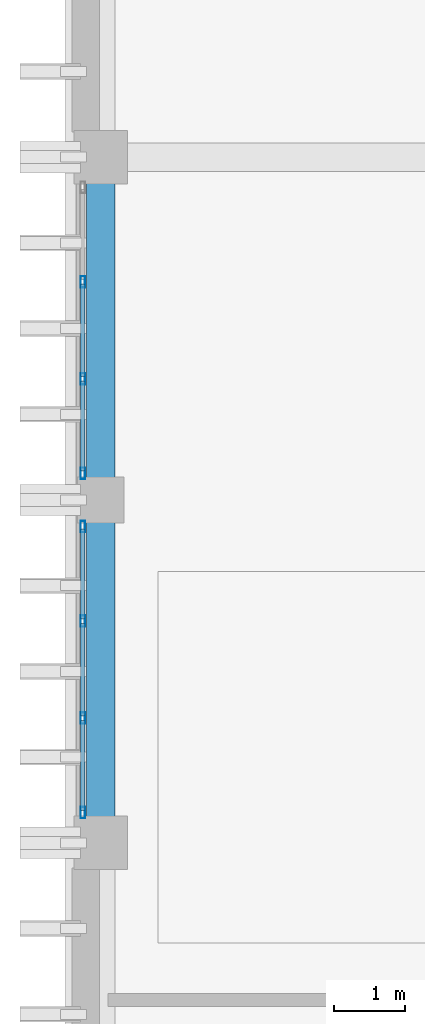
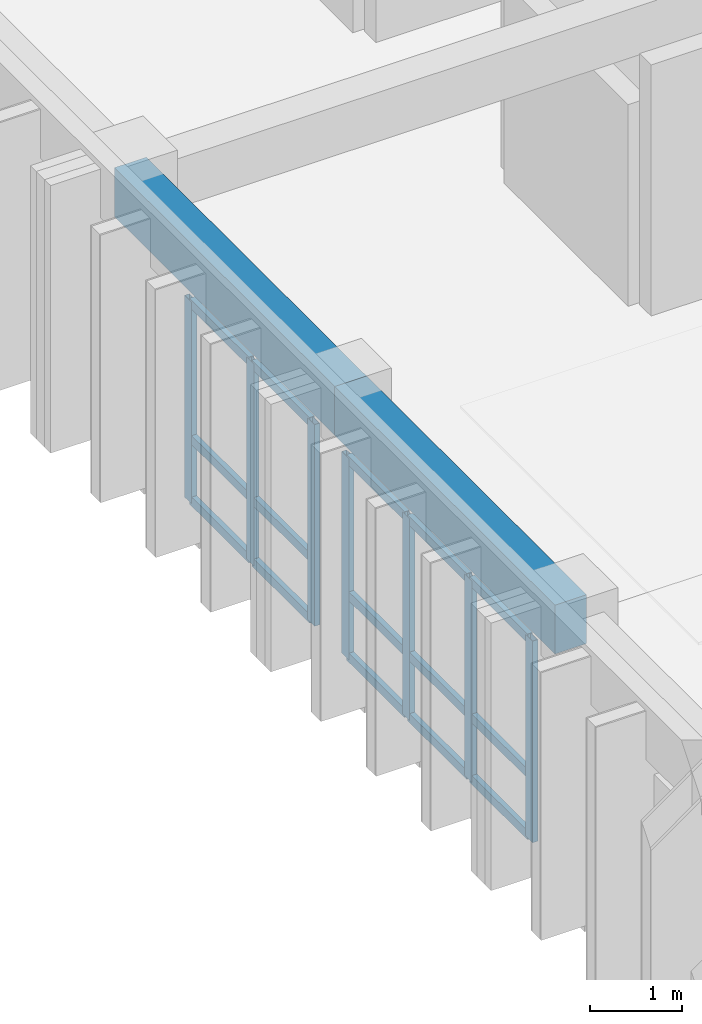
# One storey, part 36 of 64: 22 members, 2 beams, 2 elements without a shape of their own.
"""IFC4 building model written with IfcOpenShell, lengths in metres."""

from ifc_helpers import new_model, si_unit, direction, frame, origin, origin_2d, place, context, subcontext, project, spatial, rectangle, hollow_rectangle, extrude, material, layer, layer_set, material_profile, profile_set, type_object, element, aggregate, save


model = new_model("IFC4")

# Units and contexts
model_context = context("Model", 3, precision=1e-05, world=origin(), true_north=direction((0.0, 1.0)))
body_context = subcontext(model_context, "Body", "Model", "MODEL_VIEW")
ifc_project = project(units=[si_unit("LENGTHUNIT", "METRE"), si_unit("AREAUNIT", "SQUARE_METRE"), si_unit("VOLUMEUNIT", "CUBIC_METRE"), si_unit("PLANEANGLEUNIT", "RADIAN"), si_unit("MASSUNIT", "GRAM", prefix="KILO")], contexts=[model_context])

# Site, building, storey
site_placement = place(None, origin())
site = spatial("IfcSite", under=ifc_project, at=site_placement, CompositionType="ELEMENT")
building_placement = place(site_placement, origin())
building = spatial("IfcBuilding", under=site, at=building_placement, Name="Nakhvara Creek Congress Hotel", CompositionType="ELEMENT")
storey_placement = place(building_placement, frame((0.0, 0.0, 28.199951171875)))
storey = spatial("IfcBuildingStorey", under=building, at=storey_placement, Name="L06", CompositionType="ELEMENT", Elevation=28.199951171875)

# Beams
ifc_material_1 = material(Name="Concrete C40/50", Category="concrete")
ifc_material_profile_1 = material_profile(ifc_material_1, rectangle(XDim=0.39990234375, YDim=0.64990234375, at=origin_2d()), Name="RC-BM 400x650", Category="LoadBearing")
ifc_profile_set_1 = profile_set([ifc_material_profile_1], Name="Concrete C40/50")
beam_type = type_object("IfcBeamType", Name="BM-RC-400X650", PredefinedType="BEAM", material=ifc_profile_set_1)
beam_1_placement = place(storey_placement, frame((149.449951171875, 105.60009765625, 3.01513671875), z_axis=(0.0, 1.0, 0.0), x_axis=(-1.0, 0.0, 0.0)))
element("IfcBeam", 1, at=beam_1_placement, inside=storey, type_object=beam_type, Name="Beam B06-L06-2213", PredefinedType="BEAM", context=body_context, shape_type="SweptSolid", body=[
    extrude(rectangle(XDim=0.39990234375, YDim=0.64990234375, at=origin_2d()), origin(), (0.0, 0.0, 1.0), 4.7998046875),
])
beam_2_placement = place(storey_placement, frame((149.449951171875, 110.39990234375, 3.01513671875), z_axis=(0.0, 1.0, 0.0), x_axis=(-1.0, 0.0, 0.0)))
element("IfcBeam", 2, at=beam_2_placement, inside=storey, type_object=beam_type, Name="Beam B06-L06-2215", PredefinedType="BEAM", context=body_context, shape_type="SweptSolid", body=[
    extrude(rectangle(XDim=0.39990234375, YDim=0.64990234375, at=origin_2d()), origin(), (0.0, 0.0, 1.0), 4.800048828125),
])

# Curtain wall, members
ifc_material_2 = material(Name="Bronze-anodised aluminium AW-6063-T6 and double-silver low-E glass", Category="aluminium")
ifc_layer = layer(ifc_material_2, 0.199951171875)
ifc_layer_set = layer_set([ifc_layer], Name="Bronze-anodised aluminium AW-6063-T6 and double-silver low-E glass")
curtain_wall_type = type_object("IfcCurtainWallType", Name="CW-HTL-UNIT", PredefinedType="USERDEFINED", material=ifc_layer_set)
curtain_wall_1_placement = place(storey_placement, origin())
curtain_wall_1 = element("IfcCurtainWall", 3, at=curtain_wall_1_placement, inside=storey, type_object=curtain_wall_type, Name="Curtain Wall CW248", ObjectType="UNITISED", PredefinedType="USERDEFINED")
ifc_material_3 = material(Name="Bronze-anodised aluminium AW-6063-T6", Category="aluminium")
ifc_material_profile_2 = material_profile(ifc_material_3, hollow_rectangle(XDim=0.06494140625, YDim=0.159912109375, WallThickness=0.00390625, at=origin_2d()), Name="ALU-MULL 65x160x4", Category="LoadBearing")
ifc_profile_set_2 = profile_set([ifc_material_profile_2], Name="Bronze-anodised aluminium AW-6063-T6")
member_type_1 = type_object("IfcMemberType", Name="CW-MULL-160", PredefinedType="MULLION", material=ifc_profile_set_2)
member_1_placement = place(storey_placement, frame((149.199951171875, 106.0224609375, 0.0), z_axis=(0.0, 0.0, 1.0), x_axis=(-1.0, 0.0, 0.0)))
member_1 = element("IfcMember", 4, at=member_1_placement, type_object=member_type_1, Name="CW248 mullion 1", PredefinedType="MULLION", context=body_context, shape_type="SweptSolid", body=[
    extrude(hollow_rectangle(XDim=0.06494140625, YDim=0.159912109375, WallThickness=0.00390625, at=origin_2d()), origin(), (0.0, 0.0, 1.0), 2.68212890625),
])
member_2_placement = place(storey_placement, frame((149.199951171875, 107.3466796875, 0.0), z_axis=(0.0, 0.0, 1.0), x_axis=(-1.0, 0.0, 0.0)))
member_2 = element("IfcMember", 5, at=member_2_placement, type_object=member_type_1, Name="CW248 mullion 2", PredefinedType="MULLION", context=body_context, shape_type="SweptSolid", body=[
    extrude(hollow_rectangle(XDim=0.06494140625, YDim=0.159912109375, WallThickness=0.00390625, at=origin_2d()), origin(), (0.0, 0.0, 1.0), 2.68212890625),
])
member_3_placement = place(storey_placement, frame((149.199951171875, 108.703369140625, 0.0), z_axis=(0.0, 0.0, 1.0), x_axis=(-1.0, 0.0, 0.0)))
member_3 = element("IfcMember", 6, at=member_3_placement, type_object=member_type_1, Name="CW248 mullion 3", PredefinedType="MULLION", context=body_context, shape_type="SweptSolid", body=[
    extrude(hollow_rectangle(XDim=0.06494140625, YDim=0.159912109375, WallThickness=0.00390625, at=origin_2d()), origin(), (0.0, 0.0, 1.0), 2.68212890625),
])
member_4_placement = place(storey_placement, frame((149.199951171875, 110.027587890625, 0.0), z_axis=(0.0, 0.0, 1.0), x_axis=(-1.0, 0.0, 0.0)))
member_4 = element("IfcMember", 7, at=member_4_placement, type_object=member_type_1, Name="CW248 mullion 4", PredefinedType="MULLION", context=body_context, shape_type="SweptSolid", body=[
    extrude(hollow_rectangle(XDim=0.06494140625, YDim=0.159912109375, WallThickness=0.00390625, at=origin_2d()), origin(), (0.0, 0.0, 1.0), 2.68212890625),
])

curtain_wall_2_placement = place(storey_placement, origin())
curtain_wall_2 = element("IfcCurtainWall", 8, at=curtain_wall_2_placement, inside=storey, type_object=curtain_wall_type, Name="Curtain Wall CW250", ObjectType="UNITISED", PredefinedType="USERDEFINED")
member_5_placement = place(storey_placement, frame((149.199951171875, 110.7724609375, 0.0), z_axis=(0.0, 0.0, 1.0), x_axis=(-1.0, 0.0, 0.0)))
member_5 = element("IfcMember", 9, at=member_5_placement, type_object=member_type_1, Name="CW250 mullion 1", PredefinedType="MULLION", context=body_context, shape_type="SweptSolid", body=[
    extrude(hollow_rectangle(XDim=0.06494140625, YDim=0.159912109375, WallThickness=0.00390625, at=origin_2d()), origin(), (0.0, 0.0, 1.0), 2.68212890625),
])
member_6_placement = place(storey_placement, frame((149.199951171875, 112.0966796875, 0.0), z_axis=(0.0, 0.0, 1.0), x_axis=(-1.0, 0.0, 0.0)))
member_6 = element("IfcMember", 10, at=member_6_placement, type_object=member_type_1, Name="CW250 mullion 2", PredefinedType="MULLION", context=body_context, shape_type="SweptSolid", body=[
    extrude(hollow_rectangle(XDim=0.06494140625, YDim=0.159912109375, WallThickness=0.00390625, at=origin_2d()), origin(), (0.0, 0.0, 1.0), 2.68212890625),
])
member_7_placement = place(storey_placement, frame((149.199951171875, 113.453369140625, 0.0), z_axis=(0.0, 0.0, 1.0), x_axis=(-1.0, 0.0, 0.0)))
member_7 = element("IfcMember", 11, at=member_7_placement, type_object=member_type_1, Name="CW250 mullion 3", PredefinedType="MULLION", context=body_context, shape_type="SweptSolid", body=[
    extrude(hollow_rectangle(XDim=0.06494140625, YDim=0.159912109375, WallThickness=0.00390625, at=origin_2d()), origin(), (0.0, 0.0, 1.0), 2.68212890625),
])

# Member
ifc_material_profile_3 = material_profile(ifc_material_3, hollow_rectangle(XDim=0.06494140625, YDim=0.1201171875, WallThickness=0.00390625, at=origin_2d()), Name="ALU-TRAN 65x120x4", Category="LoadBearing")
ifc_profile_set_3 = profile_set([ifc_material_profile_3], Name="Bronze-anodised aluminium AW-6063-T6")
member_type_2 = type_object("IfcMemberType", Name="CW-TRAN-120", PredefinedType="USERDEFINED", material=ifc_profile_set_3)
member_8_placement = place(storey_placement, frame((149.199951171875, 106.054931640625, 0.032470703125), z_axis=(0.0, 1.0, 0.0), x_axis=(-1.0, 0.0, 0.0)))
member_8 = element("IfcMember", 12, at=member_8_placement, type_object=member_type_2, Name="CW248 transom 1.1", ObjectType="TRANSOM", PredefinedType="USERDEFINED", context=body_context, shape_type="SweptSolid", body=[
    extrude(hollow_rectangle(XDim=0.06494140625, YDim=0.1201171875, WallThickness=0.00390625, at=origin_2d()), origin(), (0.0, 0.0, 1.0), 1.25927734375),
])

member_9_placement = place(storey_placement, frame((149.199951171875, 106.054931640625, 0.85009765625), z_axis=(0.0, 1.0, 0.0), x_axis=(-1.0, 0.0, 0.0)))
member_9 = element("IfcMember", 13, at=member_9_placement, type_object=member_type_2, Name="CW248 transom 1.2", ObjectType="TRANSOM", PredefinedType="USERDEFINED", context=body_context, shape_type="SweptSolid", body=[
    extrude(hollow_rectangle(XDim=0.06494140625, YDim=0.1201171875, WallThickness=0.00390625, at=origin_2d()), origin(), (0.0, 0.0, 1.0), 1.25927734375),
])

member_10_placement = place(storey_placement, frame((149.199951171875, 106.054931640625, 2.649658203125), z_axis=(0.0, 1.0, 0.0), x_axis=(-1.0, 0.0, 0.0)))
member_10 = element("IfcMember", 14, at=member_10_placement, type_object=member_type_2, Name="CW248 transom 1.3", ObjectType="TRANSOM", PredefinedType="USERDEFINED", context=body_context, shape_type="SweptSolid", body=[
    extrude(hollow_rectangle(XDim=0.06494140625, YDim=0.1201171875, WallThickness=0.00390625, at=origin_2d()), origin(), (0.0, 0.0, 1.0), 1.25927734375),
])

member_11_placement = place(storey_placement, frame((149.199951171875, 107.379150390625, 0.032470703125), z_axis=(0.0, 1.0, 0.0), x_axis=(-1.0, 0.0, 0.0)))
member_11 = element("IfcMember", 15, at=member_11_placement, type_object=member_type_2, Name="CW248 transom 2.1", ObjectType="TRANSOM", PredefinedType="USERDEFINED", context=body_context, shape_type="SweptSolid", body=[
    extrude(hollow_rectangle(XDim=0.06494140625, YDim=0.1201171875, WallThickness=0.00390625, at=origin_2d()), origin(), (0.0, 0.0, 1.0), 1.291748046875),
])

member_12_placement = place(storey_placement, frame((149.199951171875, 107.379150390625, 0.85009765625), z_axis=(0.0, 1.0, 0.0), x_axis=(-1.0, 0.0, 0.0)))
member_12 = element("IfcMember", 16, at=member_12_placement, type_object=member_type_2, Name="CW248 transom 2.2", ObjectType="TRANSOM", PredefinedType="USERDEFINED", context=body_context, shape_type="SweptSolid", body=[
    extrude(hollow_rectangle(XDim=0.06494140625, YDim=0.1201171875, WallThickness=0.00390625, at=origin_2d()), origin(), (0.0, 0.0, 1.0), 1.291748046875),
])

member_13_placement = place(storey_placement, frame((149.199951171875, 107.379150390625, 2.649658203125), z_axis=(0.0, 1.0, 0.0), x_axis=(-1.0, 0.0, 0.0)))
member_13 = element("IfcMember", 17, at=member_13_placement, type_object=member_type_2, Name="CW248 transom 2.3", ObjectType="TRANSOM", PredefinedType="USERDEFINED", context=body_context, shape_type="SweptSolid", body=[
    extrude(hollow_rectangle(XDim=0.06494140625, YDim=0.1201171875, WallThickness=0.00390625, at=origin_2d()), origin(), (0.0, 0.0, 1.0), 1.291748046875),
])

member_14_placement = place(storey_placement, frame((149.199951171875, 108.73583984375, 0.032470703125), z_axis=(0.0, 1.0, 0.0), x_axis=(-1.0, 0.0, 0.0)))
member_14 = element("IfcMember", 18, at=member_14_placement, type_object=member_type_2, Name="CW248 transom 3.1", ObjectType="TRANSOM", PredefinedType="USERDEFINED", context=body_context, shape_type="SweptSolid", body=[
    extrude(hollow_rectangle(XDim=0.06494140625, YDim=0.1201171875, WallThickness=0.00390625, at=origin_2d()), origin(), (0.0, 0.0, 1.0), 1.25927734375),
])

member_15_placement = place(storey_placement, frame((149.199951171875, 108.73583984375, 0.85009765625), z_axis=(0.0, 1.0, 0.0), x_axis=(-1.0, 0.0, 0.0)))
member_15 = element("IfcMember", 19, at=member_15_placement, type_object=member_type_2, Name="CW248 transom 3.2", ObjectType="TRANSOM", PredefinedType="USERDEFINED", context=body_context, shape_type="SweptSolid", body=[
    extrude(hollow_rectangle(XDim=0.06494140625, YDim=0.1201171875, WallThickness=0.00390625, at=origin_2d()), origin(), (0.0, 0.0, 1.0), 1.25927734375),
])

member_16_placement = place(storey_placement, frame((149.199951171875, 108.73583984375, 2.649658203125), z_axis=(0.0, 1.0, 0.0), x_axis=(-1.0, 0.0, 0.0)))
member_16 = element("IfcMember", 20, at=member_16_placement, type_object=member_type_2, Name="CW248 transom 3.3", ObjectType="TRANSOM", PredefinedType="USERDEFINED", context=body_context, shape_type="SweptSolid", body=[
    extrude(hollow_rectangle(XDim=0.06494140625, YDim=0.1201171875, WallThickness=0.00390625, at=origin_2d()), origin(), (0.0, 0.0, 1.0), 1.25927734375),
])

aggregate(curtain_wall_1, [member_1, member_2, member_3, member_4, member_8, member_9, member_10, member_11, member_12, member_13, member_14, member_15, member_16])

member_17_placement = place(storey_placement, frame((149.199951171875, 110.804931640625, 0.032470703125), z_axis=(0.0, 1.0, 0.0), x_axis=(-1.0, 0.0, 0.0)))
member_17 = element("IfcMember", 21, at=member_17_placement, type_object=member_type_2, Name="CW250 transom 1.1", ObjectType="TRANSOM", PredefinedType="USERDEFINED", context=body_context, shape_type="SweptSolid", body=[
    extrude(hollow_rectangle(XDim=0.06494140625, YDim=0.1201171875, WallThickness=0.00390625, at=origin_2d()), origin(), (0.0, 0.0, 1.0), 1.25927734375),
])

member_18_placement = place(storey_placement, frame((149.199951171875, 110.804931640625, 0.85009765625), z_axis=(0.0, 1.0, 0.0), x_axis=(-1.0, 0.0, 0.0)))
member_18 = element("IfcMember", 22, at=member_18_placement, type_object=member_type_2, Name="CW250 transom 1.2", ObjectType="TRANSOM", PredefinedType="USERDEFINED", context=body_context, shape_type="SweptSolid", body=[
    extrude(hollow_rectangle(XDim=0.06494140625, YDim=0.1201171875, WallThickness=0.00390625, at=origin_2d()), origin(), (0.0, 0.0, 1.0), 1.25927734375),
])

member_19_placement = place(storey_placement, frame((149.199951171875, 110.804931640625, 2.649658203125), z_axis=(0.0, 1.0, 0.0), x_axis=(-1.0, 0.0, 0.0)))
member_19 = element("IfcMember", 23, at=member_19_placement, type_object=member_type_2, Name="CW250 transom 1.3", ObjectType="TRANSOM", PredefinedType="USERDEFINED", context=body_context, shape_type="SweptSolid", body=[
    extrude(hollow_rectangle(XDim=0.06494140625, YDim=0.1201171875, WallThickness=0.00390625, at=origin_2d()), origin(), (0.0, 0.0, 1.0), 1.25927734375),
])

member_20_placement = place(storey_placement, frame((149.199951171875, 112.129150390625, 0.032470703125), z_axis=(0.0, 1.0, 0.0), x_axis=(-1.0, 0.0, 0.0)))
member_20 = element("IfcMember", 24, at=member_20_placement, type_object=member_type_2, Name="CW250 transom 2.1", ObjectType="TRANSOM", PredefinedType="USERDEFINED", context=body_context, shape_type="SweptSolid", body=[
    extrude(hollow_rectangle(XDim=0.06494140625, YDim=0.1201171875, WallThickness=0.00390625, at=origin_2d()), origin(), (0.0, 0.0, 1.0), 1.291748046875),
])

member_21_placement = place(storey_placement, frame((149.199951171875, 112.129150390625, 0.85009765625), z_axis=(0.0, 1.0, 0.0), x_axis=(-1.0, 0.0, 0.0)))
member_21 = element("IfcMember", 25, at=member_21_placement, type_object=member_type_2, Name="CW250 transom 2.2", ObjectType="TRANSOM", PredefinedType="USERDEFINED", context=body_context, shape_type="SweptSolid", body=[
    extrude(hollow_rectangle(XDim=0.06494140625, YDim=0.1201171875, WallThickness=0.00390625, at=origin_2d()), origin(), (0.0, 0.0, 1.0), 1.291748046875),
])

member_22_placement = place(storey_placement, frame((149.199951171875, 112.129150390625, 2.649658203125), z_axis=(0.0, 1.0, 0.0), x_axis=(-1.0, 0.0, 0.0)))
member_22 = element("IfcMember", 26, at=member_22_placement, type_object=member_type_2, Name="CW250 transom 2.3", ObjectType="TRANSOM", PredefinedType="USERDEFINED", context=body_context, shape_type="SweptSolid", body=[
    extrude(hollow_rectangle(XDim=0.06494140625, YDim=0.1201171875, WallThickness=0.00390625, at=origin_2d()), origin(), (0.0, 0.0, 1.0), 1.291748046875),
])

aggregate(curtain_wall_2, [member_5, member_6, member_7, member_17, member_18, member_19, member_20, member_21, member_22])

save(model, "model.ifc")
